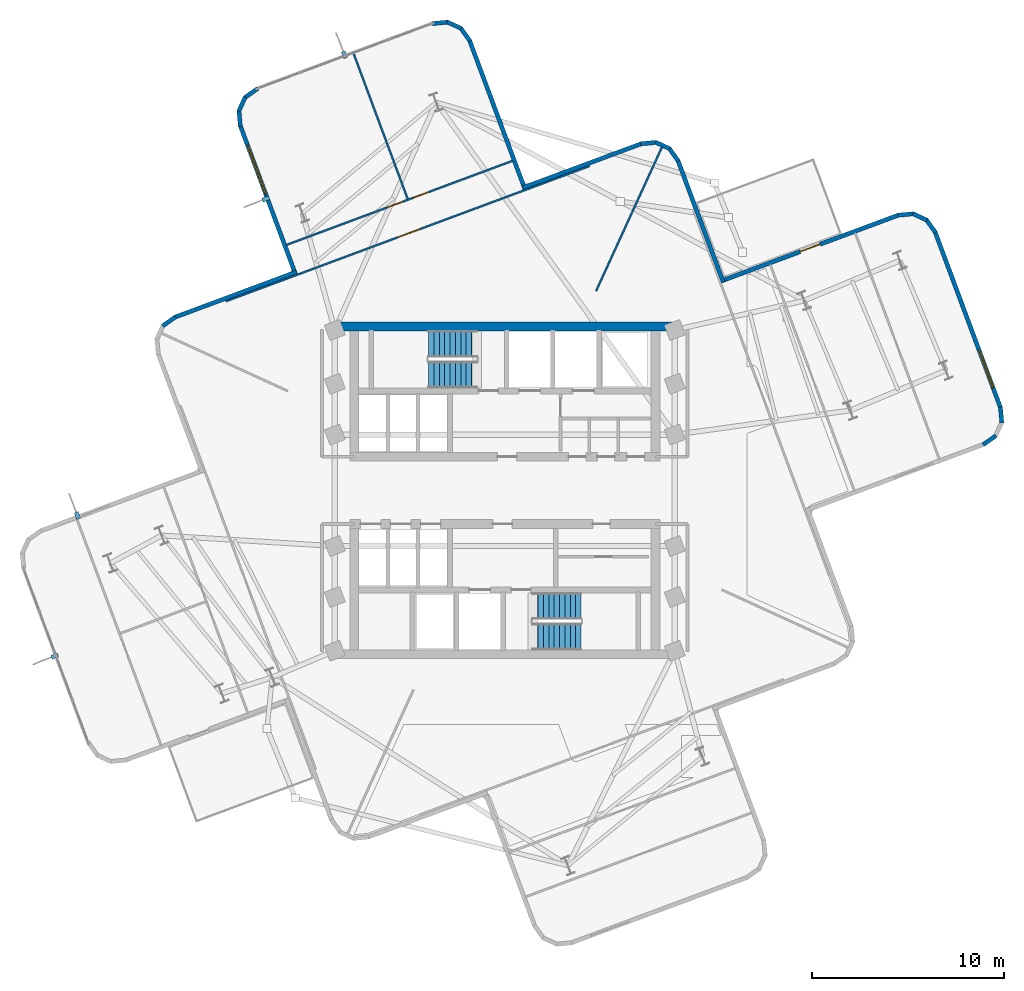
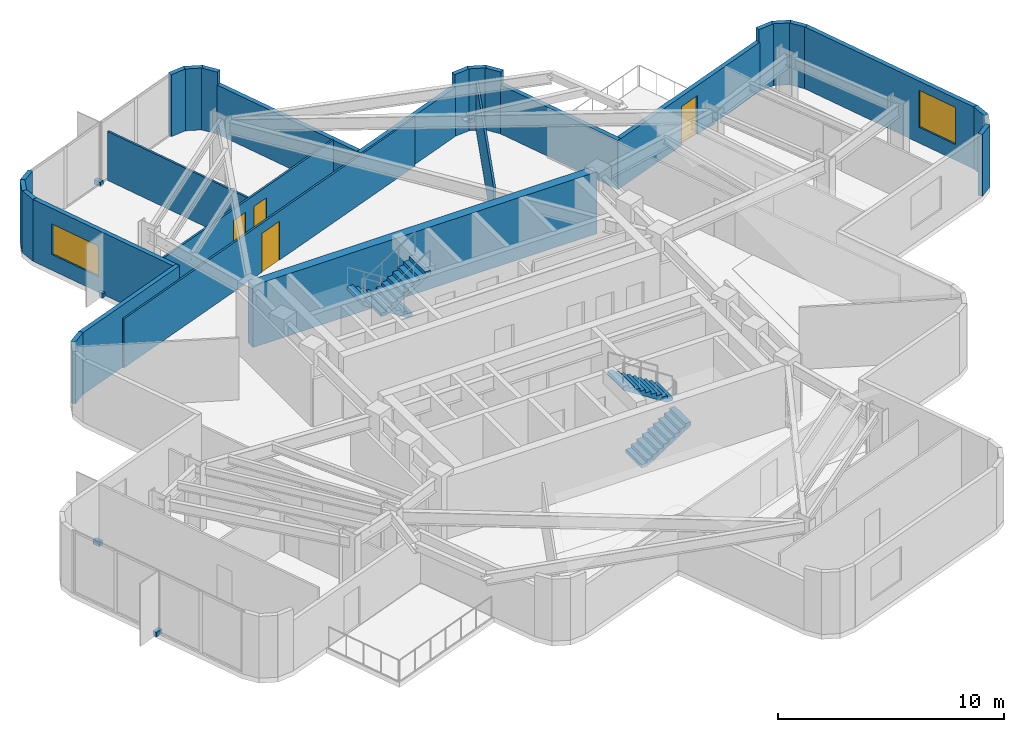
# One storey, part 8 of 11: 27 walls, 4 discrete accessories, 4 doors, 4 stair flights, 2 windows, 6 openings, 2 elements without a shape of their own.
"""IFC4 building model written with IfcOpenShell, lengths in metres."""

from ifc_helpers import new_model, si_unit, direction, frame, frame_2d, origin, origin_2d, place, context, subcontext, project, spatial, polyline, rectangle, outline, extrude, material, layer, layer_set, type_object, element, fill, aggregate, save


model = new_model("IFC4")

# Units and contexts
model_context = context("Model", 3, precision=1e-05, world=origin(), true_north=direction((0.0, 1.0)))
body_context = subcontext(model_context, "Body", "Model", "MODEL_VIEW")
ifc_project = project(units=[si_unit("LENGTHUNIT", "METRE"), si_unit("AREAUNIT", "SQUARE_METRE"), si_unit("VOLUMEUNIT", "CUBIC_METRE"), si_unit("PLANEANGLEUNIT", "RADIAN"), si_unit("MASSUNIT", "GRAM", prefix="KILO")], contexts=[model_context])

# Site, building, storey
site_placement = place(None, origin())
site = spatial("IfcSite", under=ifc_project, at=site_placement, CompositionType="ELEMENT")
building_placement = place(site_placement, origin())
building = spatial("IfcBuilding", under=site, at=building_placement, Name="Solmarez Civic Tower", CompositionType="ELEMENT")
storey_placement = place(building_placement, frame((0.0, 0.0, 170.280029296875)))
storey = spatial("IfcBuildingStorey", under=building, at=storey_placement, Name="L45", CompositionType="ELEMENT", Elevation=170.280029296875)

# Walls
ifc_material_1 = material(Name="Concrete C50/60", Category="concrete")
ifc_layer_1 = layer(ifc_material_1, 0.449951171875)
ifc_layer_set_1 = layer_set([ifc_layer_1], Name="Concrete C50/60")
wall_type_1 = type_object("IfcWallType", Name="WALL-CORE-450", PredefinedType="SHEAR", material=ifc_layer_set_1)
wall_1_placement = place(storey_placement, frame((-8.780029296875, 8.534912109375, 0.0), z_axis=(0.0, 0.0, 1.0), x_axis=(1.0, 0.0, 0.0)))
element("IfcWall", 1, at=wall_1_placement, inside=storey, type_object=wall_type_1, Name="L45 Split-Core Structural Wall NCW-N-L45", PredefinedType="SHEAR", context=body_context, shape_type="SweptSolid", body=[
    extrude(rectangle(XDim=17.56005859375, YDim=0.449951171875, at=frame_2d((8.780029296875, 0.0))), origin(), (0.0, 0.0, 1.0), 3.340087890625),
])
ifc_material_2 = material(Name="Precast concrete C40/50", Category="concrete")
ifc_layer_2 = layer(ifc_material_2, 0.219970703125)
ifc_layer_set_2 = layer_set([ifc_layer_2], Name="Precast concrete C40/50")
wall_type_2 = type_object("IfcWallType", Name="WALL-EXT-220", PredefinedType="SOLIDWALL", material=ifc_layer_set_2)
wall_2_placement = place(storey_placement, frame((-17.81689453125, 8.556884765625, 0.0), z_axis=(0.0, 0.0, 1.0), x_axis=(0.815315167698, 0.579017424022, 0.0)))
element("IfcWall", 2, at=wall_2_placement, inside=storey, type_object=wall_type_2, Name="L45 Exterior Precast Wall 16", PredefinedType="SOLIDWALL", context=body_context, shape_type="SweptSolid", body=[
    extrude(rectangle(XDim=0.832763671875, YDim=0.219970703125, at=frame_2d((0.41650390625, 0.0))), origin(), (0.0, 0.0, 1.0), 3.340087890625),
])
wall_3_placement = place(storey_placement, frame((-17.180908203125, 9.01611328125, 0.0), z_axis=(0.0, 0.0, 1.0), x_axis=(0.937216908499, 0.34874699486, 0.0)))
element("IfcWall", 3, at=wall_3_placement, inside=storey, type_object=wall_type_2, Name="L45 Exterior Precast Wall 17", PredefinedType="SOLIDWALL", context=body_context, shape_type="SweptSolid", body=[
    extrude(rectangle(XDim=6.75830078125, YDim=0.219970703125, at=frame_2d((3.379150390625, 0.0))), origin(), (0.0, 0.0, 1.0), 3.340087890625),
])

# Wall, opening, window
wall_4_placement = place(storey_placement, frame((-10.89794921875, 11.260009765625, 0.0), z_axis=(0.0, 0.0, 1.0), x_axis=(-0.348682373258, 0.937240952252, 0.0)))
wall_4 = element("IfcWall", 4, at=wall_4_placement, inside=storey, type_object=wall_type_2, Name="L45 Exterior Precast Wall 20", PredefinedType="SOLIDWALL", context=body_context, shape_type="SweptSolid", body=[
    extrude(rectangle(XDim=8.25732421875, YDim=0.219970703125, at=frame_2d((4.128662109375, 0.0))), origin(), (0.0, 0.0, 1.0), 3.340087890625),
])
opening_1_placement = place(wall_4_placement, frame((4.45703125, 0.0, 0.85009765625)))
opening_1 = element("IfcOpeningElement", 5, at=opening_1_placement, cuts=wall_4, Name="Opening W-09", PredefinedType="OPENING", context=body_context, shape_type="SweptSolid", body=[
    extrude(rectangle(XDim=2.699951171875, YDim=1.64990234375, at=frame_2d((1.35009765625, 0.824951171875))), frame((0.0, 0.119873046875, 0.0), z_axis=(0.0, -1.0, 0.0), x_axis=(1.0, 0.0, 0.0)), (0.0, 0.0, 1.0), 0.239990234375),
])
ifc_material_3 = material(Name="Solar Control Bronze-Tinted Insulating Glass", Category="glass")
window_type_1 = type_object("IfcWindowType", Name="WIN-2700X1650", PartitioningType="SINGLE_PANEL", PredefinedType="WINDOW", material=ifc_material_3)
window_1_placement = place(opening_1_placement, origin())
window_1 = element("IfcWindow", 6, at=window_1_placement, inside=storey, type_object=window_type_1, Name="L45 Exterior Facade Window 20", OverallHeight=1.64990234375, OverallWidth=2.699951171875, PartitioningType="SINGLE_PANEL", PredefinedType="WINDOW", context=body_context, shape_type="SweptSolid", body=[
    extrude(rectangle(XDim=2.699951171875, YDim=1.64990234375, at=frame_2d((1.35009765625, 0.824951171875))), frame((0.0, 0.030029296875, 0.0), z_axis=(0.0, -1.0, 0.0), x_axis=(1.0, 0.0, 0.0)), (0.0, 0.0, 1.0), 0.06005859375),
])
fill(opening_1, window_1)

# Walls
wall_5_placement = place(storey_placement, frame((-13.76611328125, 18.950927734375, 0.0), z_axis=(0.0, 0.0, 1.0), x_axis=(-0.09330446586, 0.995637623159, 0.0)))
element("IfcWall", 7, at=wall_5_placement, inside=storey, type_object=wall_type_2, Name="L45 Exterior Precast Wall 21", PredefinedType="SOLIDWALL", context=body_context, shape_type="SweptSolid", body=[
    extrude(rectangle(XDim=0.834716796875, YDim=0.219970703125, at=frame_2d((0.41748046875, 0.0))), origin(), (0.0, 0.0, 1.0), 3.340087890625),
])
wall_6_placement = place(storey_placement, frame((-13.85205078125, 19.73388671875, 0.0), z_axis=(0.0, 0.0, 1.0), x_axis=(0.41476734413, 0.909927497245, 0.0)))
element("IfcWall", 8, at=wall_6_placement, inside=storey, type_object=wall_type_2, Name="L45 Exterior Precast Wall 22", PredefinedType="SOLIDWALL", context=body_context, shape_type="SweptSolid", body=[
    extrude(rectangle(XDim=0.820068359375, YDim=0.219970703125, at=frame_2d((0.41015625, 0.0))), origin(), (0.0, 0.0, 1.0), 3.340087890625),
])
wall_7_placement = place(storey_placement, frame((-13.5419921875, 20.443115234375, 0.0), z_axis=(0.0, 0.0, 1.0), x_axis=(0.815845967165, 0.578269277984, 0.0)))
element("IfcWall", 9, at=wall_7_placement, inside=storey, type_object=wall_type_2, Name="L45 Exterior Precast Wall 23", PredefinedType="SOLIDWALL", context=body_context, shape_type="SweptSolid", body=[
    extrude(rectangle(XDim=0.83349609375, YDim=0.219970703125, at=frame_2d((0.416748046875, 0.0))), origin(), (0.0, 0.0, 1.0), 3.340087890625),
])
wall_8_placement = place(storey_placement, frame((-3.787109375, 24.301025390625, 0.0), z_axis=(0.0, 0.0, 1.0), x_axis=(0.995637623159, 0.09330446586, 0.0)))
element("IfcWall", 10, at=wall_8_placement, inside=storey, type_object=wall_type_2, Name="L45 Exterior Precast Wall 25", PredefinedType="SOLIDWALL", context=body_context, shape_type="SweptSolid", body=[
    extrude(rectangle(XDim=0.834716796875, YDim=0.219970703125, at=frame_2d((0.41748046875, 0.0))), origin(), (0.0, 0.0, 1.0), 3.340087890625),
])
wall_9_placement = place(storey_placement, frame((-3.00390625, 24.386962890625, 0.0), z_axis=(0.0, 0.0, 1.0), x_axis=(0.909783489843, -0.415083126143, 0.0)))
element("IfcWall", 11, at=wall_9_placement, inside=storey, type_object=wall_type_2, Name="L45 Exterior Precast Wall 26", PredefinedType="SOLIDWALL", context=body_context, shape_type="SweptSolid", body=[
    extrude(rectangle(XDim=0.81884765625, YDim=0.219970703125, at=frame_2d((0.409423828125, 0.0))), origin(), (0.0, 0.0, 1.0), 3.340087890625),
])
wall_10_placement = place(storey_placement, frame((-2.2958984375, 24.076904296875, 0.0), z_axis=(0.0, 0.0, 1.0), x_axis=(0.579048422224, -0.815293152626, 0.0)))
element("IfcWall", 12, at=wall_10_placement, inside=storey, type_object=wall_type_2, Name="L45 Exterior Precast Wall 27", PredefinedType="SOLIDWALL", context=body_context, shape_type="SweptSolid", body=[
    extrude(rectangle(XDim=0.833984375, YDim=0.219970703125, at=frame_2d((0.4169921875, 0.0))), origin(), (0.0, 0.0, 1.0), 3.340087890625),
])
wall_11_placement = place(storey_placement, frame((-1.8359375, 23.43994140625, 0.0), z_axis=(0.0, 0.0, 1.0), x_axis=(0.348617756986, -0.937264988952, 0.0)))
element("IfcWall", 13, at=wall_11_placement, inside=storey, type_object=wall_type_2, Name="L45 Exterior Precast Wall 28", PredefinedType="SOLIDWALL", context=body_context, shape_type="SweptSolid", body=[
    extrude(rectangle(XDim=8.258056640625, YDim=0.219970703125, at=frame_2d((4.12890625, 0.0))), origin(), (0.0, 0.0, 1.0), 2.64404296875),
])
wall_12_placement = place(storey_placement, frame((0.929931640625, 15.7509765625, 0.0), z_axis=(0.0, 0.0, 1.0), x_axis=(0.937223257246, 0.348729932868, 0.0)))
element("IfcWall", 14, at=wall_12_placement, inside=storey, type_object=wall_type_2, Name="L45 Exterior Precast Wall 31", PredefinedType="SOLIDWALL", context=body_context, shape_type="SweptSolid", body=[
    extrude(rectangle(XDim=6.598388671875, YDim=0.219970703125, at=frame_2d((3.29931640625, 0.0))), origin(), (0.0, 0.0, 1.0), 2.64404296875),
])
wall_13_placement = place(storey_placement, frame((7.06591796875, 18.041015625, 0.0), z_axis=(0.0, 0.0, 1.0), x_axis=(0.995637623159, 0.09330446586, 0.0)))
element("IfcWall", 15, at=wall_13_placement, inside=storey, type_object=wall_type_2, Name="L45 Exterior Precast Wall 32", PredefinedType="SOLIDWALL", context=body_context, shape_type="SweptSolid", body=[
    extrude(rectangle(XDim=0.834716796875, YDim=0.219970703125, at=frame_2d((0.41748046875, 0.0))), origin(), (0.0, 0.0, 1.0), 3.340087890625),
])
wall_14_placement = place(storey_placement, frame((7.84912109375, 18.126953125, 0.0), z_axis=(0.0, 0.0, 1.0), x_axis=(0.909783489843, -0.415083126143, 0.0)))
element("IfcWall", 16, at=wall_14_placement, inside=storey, type_object=wall_type_2, Name="L45 Exterior Precast Wall 33", PredefinedType="SOLIDWALL", context=body_context, shape_type="SweptSolid", body=[
    extrude(rectangle(XDim=0.81884765625, YDim=0.219970703125, at=frame_2d((0.409423828125, 0.0))), origin(), (0.0, 0.0, 1.0), 3.340087890625),
])
wall_15_placement = place(storey_placement, frame((8.556884765625, 17.81689453125, 0.0), z_axis=(0.0, 0.0, 1.0), x_axis=(0.579017424022, -0.815315167698, 0.0)))
element("IfcWall", 17, at=wall_15_placement, inside=storey, type_object=wall_type_2, Name="L45 Exterior Precast Wall 34", PredefinedType="SOLIDWALL", context=body_context, shape_type="SweptSolid", body=[
    extrude(rectangle(XDim=0.832763671875, YDim=0.219970703125, at=frame_2d((0.41650390625, 0.0))), origin(), (0.0, 0.0, 1.0), 3.340087890625),
])
wall_16_placement = place(storey_placement, frame((9.01611328125, 17.180908203125, 0.0), z_axis=(0.0, 0.0, 1.0), x_axis=(0.34874699486, -0.937216908499, 0.0)))
element("IfcWall", 18, at=wall_16_placement, inside=storey, type_object=wall_type_2, Name="L45 Exterior Precast Wall 35", PredefinedType="SOLIDWALL", context=body_context, shape_type="SweptSolid", body=[
    extrude(rectangle(XDim=6.75830078125, YDim=0.219970703125, at=frame_2d((3.379150390625, 0.0))), origin(), (0.0, 0.0, 1.0), 2.64404296875),
])

# Wall, opening, door
wall_17_placement = place(storey_placement, frame((11.260009765625, 10.89794921875, 0.0), z_axis=(0.0, 0.0, 1.0), x_axis=(0.937247074189, 0.348665917354, 0.0)))
wall_17 = element("IfcWall", 19, at=wall_17_placement, inside=storey, type_object=wall_type_2, Name="L45 Exterior Precast Wall 38", PredefinedType="SOLIDWALL", context=body_context, shape_type="SweptSolid", body=[
    extrude(rectangle(XDim=9.857666015625, YDim=0.219970703125, at=frame_2d((4.9287109375, 0.0))), origin(), (0.0, 0.0, 1.0), 2.64404296875),
])
opening_2_placement = place(wall_17_placement, frame((4.39990234375, 0.0, 0.0)))
opening_2 = element("IfcOpeningElement", 20, at=opening_2_placement, cuts=wall_17, Name="Opening D-06", PredefinedType="OPENING", context=body_context, shape_type="SweptSolid", body=[
    extrude(rectangle(XDim=1.10009765625, YDim=2.10009765625, at=frame_2d((0.550048828125, 1.050048828125))), frame((0.0, 0.119873046875, 0.0), z_axis=(0.0, -1.0, 0.0), x_axis=(1.0, 0.0, 0.0)), (0.0, 0.0, 1.0), 0.239990234375),
])
ifc_material_4 = material(Name="Bronze Anodised Aluminium Glazed Terrace Door", Category="aluminium")
door_type_1 = type_object("IfcDoorType", Name="DOOR-TERR-1100", OperationType="NOTDEFINED", PredefinedType="DOOR", material=ifc_material_4)
door_1_placement = place(opening_2_placement, origin())
door_1 = element("IfcDoor", 21, at=door_1_placement, inside=storey, type_object=door_type_1, Name="L45 Outdoor Terrace Glazed Door", OperationType="SINGLE_SWING_RIGHT", OverallHeight=2.10009765625, OverallWidth=1.10009765625, PredefinedType="DOOR", context=body_context, shape_type="SweptSolid", body=[
    extrude(rectangle(XDim=1.10009765625, YDim=2.10009765625, at=frame_2d((0.550048828125, 1.050048828125))), frame((0.0, 0.02490234375, 0.0), z_axis=(0.0, -1.0, 0.0), x_axis=(1.0, 0.0, 0.0)), (0.0, 0.0, 1.0), 0.050048828125),
])
fill(opening_2, door_1)

# Walls
wall_18_placement = place(storey_placement, frame((20.450927734375, 14.323974609375, 0.0), z_axis=(0.0, 0.0, 1.0), x_axis=(0.99561041007, 0.093594398126, 0.0)))
element("IfcWall", 22, at=wall_18_placement, inside=storey, type_object=wall_type_2, Name="L45 Exterior Precast Wall 39", PredefinedType="SOLIDWALL", context=body_context, shape_type="SweptSolid", body=[
    extrude(rectangle(XDim=0.834716796875, YDim=0.219970703125, at=frame_2d((0.41748046875, 0.0))), origin(), (0.0, 0.0, 1.0), 3.340087890625),
])
wall_19_placement = place(storey_placement, frame((21.23388671875, 14.409912109375, 0.0), z_axis=(0.0, 0.0, 1.0), x_axis=(0.909384320786, -0.415956917371, 0.0)))
element("IfcWall", 23, at=wall_19_placement, inside=storey, type_object=wall_type_2, Name="L45 Exterior Precast Wall 40", PredefinedType="SOLIDWALL", context=body_context, shape_type="SweptSolid", body=[
    extrude(rectangle(XDim=0.8193359375, YDim=0.219970703125, at=frame_2d((0.40966796875, 0.0))), origin(), (0.0, 0.0, 1.0), 3.340087890625),
])
wall_20_placement = place(storey_placement, frame((21.94091796875, 14.09912109375, 0.0), z_axis=(0.0, 0.0, 1.0), x_axis=(0.581210523844, -0.813753234693, 0.0)))
element("IfcWall", 24, at=wall_20_placement, inside=storey, type_object=wall_type_2, Name="L45 Exterior Precast Wall 41", PredefinedType="SOLIDWALL", context=body_context, shape_type="SweptSolid", body=[
    extrude(rectangle(XDim=0.834716796875, YDim=0.219970703125, at=frame_2d((0.41748046875, 0.0))), origin(), (0.0, 0.0, 1.0), 3.340087890625),
])

# Wall, opening, window
wall_21_placement = place(storey_placement, frame((22.402099609375, 13.462890625, 0.0), z_axis=(0.0, 0.0, 1.0), x_axis=(0.348638358175, -0.937257326037, 0.0)))
wall_21 = element("IfcWall", 25, at=wall_21_placement, inside=storey, type_object=wall_type_2, Name="L45 Exterior Precast Wall 42", PredefinedType="SOLIDWALL", context=body_context, shape_type="SweptSolid", body=[
    extrude(rectangle(XDim=9.78076171875, YDim=0.219970703125, at=frame_2d((4.890380859375, 0.0))), origin(), (0.0, 0.0, 1.0), 3.340087890625),
])
opening_3_placement = place(wall_21_placement, frame((6.5791015625, 0.0, 0.85009765625)))
opening_3 = element("IfcOpeningElement", 26, at=opening_3_placement, cuts=wall_21, Name="Opening W-03", PredefinedType="OPENING", context=body_context, shape_type="SweptSolid", body=[
    extrude(rectangle(XDim=2.10009765625, YDim=2.0, at=frame_2d((1.050048828125, 1.0))), frame((0.0, 0.119873046875, 0.0), z_axis=(0.0, -1.0, 0.0), x_axis=(1.0, 0.0, 0.0)), (0.0, 0.0, 1.0), 0.239990234375),
])
window_type_2 = type_object("IfcWindowType", Name="WIN-2100X2000", PartitioningType="SINGLE_PANEL", PredefinedType="WINDOW", material=ifc_material_3)
window_2_placement = place(opening_3_placement, origin())
window_2 = element("IfcWindow", 27, at=window_2_placement, inside=storey, type_object=window_type_2, Name="L45 Exterior Facade Window 42", OverallHeight=2.0, OverallWidth=2.10009765625, PartitioningType="SINGLE_PANEL", PredefinedType="WINDOW", context=body_context, shape_type="SweptSolid", body=[
    extrude(rectangle(XDim=2.10009765625, YDim=2.0, at=frame_2d((1.050048828125, 1.0))), frame((0.0, 0.030029296875, 0.0), z_axis=(0.0, -1.0, 0.0), x_axis=(1.0, 0.0, 0.0)), (0.0, 0.0, 1.0), 0.06005859375),
])
fill(opening_3, window_2)

# Walls
wall_22_placement = place(storey_placement, frame((25.801025390625, 4.343994140625, 0.0), z_axis=(0.0, 0.0, 1.0), x_axis=(0.09225198338, -0.995735693627, 0.0)))
element("IfcWall", 28, at=wall_22_placement, inside=storey, type_object=wall_type_2, Name="L45 Exterior Precast Wall 43", PredefinedType="SOLIDWALL", context=body_context, shape_type="SweptSolid", body=[
    extrude(rectangle(XDim=0.833740234375, YDim=0.219970703125, at=frame_2d((0.4169921875, 0.0))), origin(), (0.0, 0.0, 1.0), 3.340087890625),
])
wall_23_placement = place(storey_placement, frame((25.575927734375, 2.85302734375, 0.0), z_axis=(0.0, 0.0, 1.0), x_axis=(-0.815453569677, -0.578822490666, 0.0)))
element("IfcWall", 29, at=wall_23_placement, inside=storey, type_object=wall_type_2, Name="L45 Exterior Precast Wall 45", PredefinedType="SOLIDWALL", context=body_context, shape_type="SweptSolid", body=[
    extrude(rectangle(XDim=0.83251953125, YDim=0.219970703125, at=frame_2d((0.416259765625, 0.0))), origin(), (0.0, 0.0, 1.0), 3.340087890625),
])
ifc_material_5 = material(Name="Gypsum Board Acoustic Steel-Stud Partition", Category="steel")
ifc_layer_3 = layer(ifc_material_5, 0.10009765625)
ifc_layer_set_3 = layer_set([ifc_layer_3], Name="Gypsum Board Acoustic Steel-Stud Partition")
wall_type_3 = type_object("IfcWallType", Name="WALL-INT-PART-100", PredefinedType="PARTITIONING", material=ifc_layer_set_3)
wall_24_placement = place(storey_placement, frame((4.7529296875, 10.3798828125, 0.0), z_axis=(0.0, 0.0, 1.0), x_axis=(0.416191484634, 0.909276991966, 0.0)))
element("IfcWall", 30, at=wall_24_placement, inside=storey, type_object=wall_type_3, Name="L45 Interior Partition PT-L45-QDIV-1", PredefinedType="PARTITIONING", context=body_context, shape_type="SweptSolid", body=[
    extrude(rectangle(XDim=8.25830078125, YDim=0.10009765625, at=frame_2d((4.129150390625, 0.0))), origin(), (0.0, 0.0, 1.0), 2.64404296875),
])

# Wall, opening, door
wall_25_placement = place(storey_placement, frame((-14.52197265625, 9.845947265625, 0.0), z_axis=(0.0, 0.0, 1.0), x_axis=(0.937292757866, 0.348543090668, 0.0)))
wall_25 = element("IfcWall", 31, at=wall_25_placement, inside=storey, type_object=wall_type_3, Name="L45 Interior Partition PT-L45-N-ENT", PredefinedType="PARTITIONING", context=body_context, shape_type="SweptSolid", body=[
    extrude(rectangle(XDim=20.198486328125, YDim=0.10009765625, at=frame_2d((10.09912109375, 0.0))), origin(), (0.0, 0.0, 1.0), 2.64404296875),
])
opening_4_placement = place(wall_25_placement, frame((9.5791015625, 0.0, 0.0)))
opening_4 = element("IfcOpeningElement", 32, at=opening_4_placement, cuts=wall_25, Name="Opening D-11", PredefinedType="OPENING", context=body_context, shape_type="SweptSolid", body=[
    extrude(rectangle(XDim=1.199951171875, YDim=2.10009765625, at=frame_2d((0.60009765625, 1.050048828125))), frame((0.0, 0.06005859375, 0.0), z_axis=(0.0, -1.0, 0.0), x_axis=(1.0, 0.0, 0.0)), (0.0, 0.0, 1.0), 0.1201171875),
])
ifc_material_6 = material(Name="Glazed-Vision Acoustic Chamber Door", Category="wood")
door_type_2 = type_object("IfcDoorType", Name="DOOR-INT-1200", OperationType="NOTDEFINED", PredefinedType="DOOR", material=ifc_material_6)
door_2_placement = place(opening_4_placement, origin())
door_2 = element("IfcDoor", 33, at=door_2_placement, inside=storey, type_object=door_type_2, Name="L45 Breakout Huddle Room First North Door", OperationType="SINGLE_SWING_LEFT", OverallHeight=2.10009765625, OverallWidth=1.199951171875, PredefinedType="DOOR", context=body_context, shape_type="SweptSolid", body=[
    extrude(rectangle(XDim=1.199951171875, YDim=2.10009765625, at=frame_2d((0.60009765625, 1.050048828125))), frame((0.0, 0.02490234375, 0.0), z_axis=(0.0, -1.0, 0.0), x_axis=(1.0, 0.0, 0.0)), (0.0, 0.0, 1.0), 0.050048828125),
])
fill(opening_4, door_2)

# Wall
wall_26_placement = place(storey_placement, frame((-5.06201171875, 15.18798828125, 0.0), z_axis=(0.0, 0.0, 1.0), x_axis=(-0.348454946531, 0.937325530559, 0.0)))
element("IfcWall", 34, at=wall_26_placement, inside=storey, type_object=wall_type_3, Name="L45 Interior Partition PT-L45-N-TSP", PredefinedType="PARTITIONING", context=body_context, shape_type="SweptSolid", body=[
    extrude(rectangle(XDim=8.015380859375, YDim=0.10009765625, at=frame_2d((4.0078125, 0.0))), origin(), (0.0, 0.0, 1.0), 2.64404296875),
])

# Wall, openings, doors
wall_27_placement = place(storey_placement, frame((0.4189453125, 17.1630859375, 0.0), z_axis=(0.0, 0.0, 1.0), x_axis=(-0.937262231235, -0.348625171066, 0.0)))
wall_27 = element("IfcWall", 35, at=wall_27_placement, inside=storey, type_object=wall_type_3, Name="L45 Interior Partition PT-L45-N-SCUT", PredefinedType="PARTITIONING", context=body_context, shape_type="SweptSolid", body=[
    extrude(rectangle(XDim=12.58984375, YDim=0.10009765625, at=frame_2d((6.294921875, 0.0))), origin(), (0.0, 0.0, 1.0), 2.64404296875),
])
opening_5_placement = place(wall_27_placement, frame((4.675048828125, 0.0, 0.0)))
opening_5 = element("IfcOpeningElement", 36, at=opening_5_placement, cuts=wall_27, Name="Opening D-14", PredefinedType="OPENING", context=body_context, shape_type="SweptSolid", body=[
    extrude(rectangle(XDim=0.860107421875, YDim=2.0400390625, at=frame_2d((0.43017578125, 1.02001953125))), frame((0.0, 0.06005859375, 0.0), z_axis=(0.0, -1.0, 0.0), x_axis=(1.0, 0.0, 0.0)), (0.0, 0.0, 1.0), 0.1201171875),
])
opening_6_placement = place(wall_27_placement, frame((6.114990234375, 0.0, 0.0)))
opening_6 = element("IfcOpeningElement", 37, at=opening_6_placement, cuts=wall_27, Name="Opening D-14", PredefinedType="OPENING", context=body_context, shape_type="SweptSolid", body=[
    extrude(rectangle(XDim=0.860107421875, YDim=2.0400390625, at=frame_2d((0.43017578125, 1.02001953125))), frame((0.0, 0.06005859375, 0.0), z_axis=(0.0, -1.0, 0.0), x_axis=(1.0, 0.0, 0.0)), (0.0, 0.0, 1.0), 0.1201171875),
])
ifc_material_7 = material(Name="Timber Storage and Pantry Door", Category="wood")
door_type_3 = type_object("IfcDoorType", Name="DOOR-INT-850", OperationType="NOTDEFINED", PredefinedType="DOOR", material=ifc_material_7)
door_3_placement = place(opening_5_placement, origin())
door_3 = element("IfcDoor", 38, at=door_3_placement, inside=storey, type_object=door_type_3, Name="L45 Staff Tea Pantry Third North Door", OperationType="SINGLE_SWING_RIGHT", OverallHeight=2.0400390625, OverallWidth=0.860107421875, PredefinedType="DOOR", context=body_context, shape_type="SweptSolid", body=[
    extrude(rectangle(XDim=0.860107421875, YDim=2.0400390625, at=frame_2d((0.43017578125, 1.02001953125))), frame((0.0, 0.02490234375, 0.0), z_axis=(0.0, -1.0, 0.0), x_axis=(1.0, 0.0, 0.0)), (0.0, 0.0, 1.0), 0.050048828125),
])
fill(opening_5, door_3)
door_4_placement = place(opening_6_placement, origin())
door_4 = element("IfcDoor", 39, at=door_4_placement, inside=storey, type_object=door_type_3, Name="L45 Municipal Mailroom Second North Door", OperationType="SINGLE_SWING_LEFT", OverallHeight=2.0400390625, OverallWidth=0.860107421875, PredefinedType="DOOR", context=body_context, shape_type="SweptSolid", body=[
    extrude(rectangle(XDim=0.860107421875, YDim=2.0400390625, at=frame_2d((0.43017578125, 1.02001953125))), frame((0.0, 0.02490234375, 0.0), z_axis=(0.0, -1.0, 0.0), x_axis=(1.0, 0.0, 0.0)), (0.0, 0.0, 1.0), 0.050048828125),
])
fill(opening_6, door_4)

# Stair, stair flights
stair_type = type_object("IfcStairType", Name="STAIR-DOGLEG-140W-20R-1800", PredefinedType="HALF_TURN_STAIR", material=ifc_material_1)
stair_1_placement = place(storey_placement, origin())
stair_1 = element("IfcStair", 40, at=stair_1_placement, inside=storey, type_object=stair_type, Name="L45 North Core Protected Exit Stair ST-1", PredefinedType="HALF_TURN_STAIR")
stair_flight_type = type_object("IfcStairFlightType", Name="FLIGHT-DOGLEG-140W-10R-1800", PredefinedType="STRAIGHT", material=ifc_material_1)
stair_flight_1_placement = place(storey_placement, frame((-1.449951171875, 7.6201171875, 0.0), z_axis=(0.0, 0.0, 1.0), x_axis=(-1.0, 0.0, 0.0)))
stair_flight_1 = element("IfcStairFlight", 41, at=stair_flight_1_placement, type_object=stair_flight_type, Name="ST-1 flight 1", NumberOfRisers=10, NumberOfTreads=9, PredefinedType="STRAIGHT", RiserHeight=0.18, TreadLength=0.28, context=body_context, shape_type="SweptSolid", body=[
    extrude(outline(polyline([(0.0, 0.0), (0.0, 0.179931640625), (0.280029296875, 0.179931640625), (0.280029296875, 0.360107421875), (0.56005859375, 0.360107421875), (0.56005859375, 0.5400390625), (0.840087890625, 0.5400390625), (0.840087890625, 0.719970703125), (1.1201171875, 0.719970703125), (1.1201171875, 0.89990234375), (1.39990234375, 0.89990234375), (1.39990234375, 1.080078125), (1.679931640625, 1.080078125), (1.679931640625, 1.260009765625), (1.9599609375, 1.260009765625), (1.9599609375, 1.43994140625), (2.239990234375, 1.43994140625), (2.239990234375, 1.6201171875), (2.52001953125, 1.6201171875), (2.52001953125, 1.800048828125), (2.52001953125, 1.429931640625), (0.295654296875, 0.0), (0.0, 0.0)])), frame((0.0, 0.699951171875, 0.0), z_axis=(0.0, -1.0, 0.0), x_axis=(1.0, 0.0, 0.0)), (0.0, 0.0, 1.0), 1.39990234375),
])
stair_flight_2_placement = place(storey_placement, frame((-3.969970703125, 6.02001953125, 1.800048828125), z_axis=(0.0, 0.0, 1.0), x_axis=(1.0, 0.0, 0.0)))
stair_flight_2 = element("IfcStairFlight", 42, at=stair_flight_2_placement, type_object=stair_flight_type, Name="ST-1 flight 2", NumberOfRisers=10, NumberOfTreads=9, PredefinedType="STRAIGHT", RiserHeight=0.18, TreadLength=0.28, context=body_context, shape_type="SweptSolid", body=[
    extrude(outline(polyline([(0.0, 0.0), (0.0, 0.179931640625), (0.280029296875, 0.179931640625), (0.280029296875, 0.360107421875), (0.56005859375, 0.360107421875), (0.56005859375, 0.5400390625), (0.840087890625, 0.5400390625), (0.840087890625, 0.719970703125), (1.1201171875, 0.719970703125), (1.1201171875, 0.89990234375), (1.39990234375, 0.89990234375), (1.39990234375, 1.080078125), (1.679931640625, 1.080078125), (1.679931640625, 1.260009765625), (1.9599609375, 1.260009765625), (1.9599609375, 1.43994140625), (2.239990234375, 1.43994140625), (2.239990234375, 1.6201171875), (2.52001953125, 1.6201171875), (2.52001953125, 1.800048828125), (2.52001953125, 1.429931640625), (0.295654296875, 0.0), (0.0, 0.0)])), frame((0.0, 0.699951171875, 0.0), z_axis=(0.0, -1.0, 0.0), x_axis=(1.0, 0.0, 0.0)), (0.0, 0.0, 1.0), 1.39990234375),
])
aggregate(stair_1, [stair_flight_1, stair_flight_2])

stair_2_placement = place(storey_placement, origin())
stair_2 = element("IfcStair", 43, at=stair_2_placement, inside=storey, type_object=stair_type, Name="L45 South Core Protected Exit Stair ST-2", PredefinedType="HALF_TURN_STAIR")
stair_flight_3_placement = place(storey_placement, frame((1.449951171875, -7.6201171875, 0.0), z_axis=(0.0, 0.0, 1.0), x_axis=(1.0, 0.0, 0.0)))
stair_flight_3 = element("IfcStairFlight", 44, at=stair_flight_3_placement, type_object=stair_flight_type, Name="ST-2 flight 1", NumberOfRisers=10, NumberOfTreads=9, PredefinedType="STRAIGHT", RiserHeight=0.18, TreadLength=0.28, context=body_context, shape_type="SweptSolid", body=[
    extrude(outline(polyline([(0.0, 0.0), (0.0, 0.179931640625), (0.280029296875, 0.179931640625), (0.280029296875, 0.360107421875), (0.56005859375, 0.360107421875), (0.56005859375, 0.5400390625), (0.840087890625, 0.5400390625), (0.840087890625, 0.719970703125), (1.1201171875, 0.719970703125), (1.1201171875, 0.89990234375), (1.39990234375, 0.89990234375), (1.39990234375, 1.080078125), (1.679931640625, 1.080078125), (1.679931640625, 1.260009765625), (1.9599609375, 1.260009765625), (1.9599609375, 1.43994140625), (2.239990234375, 1.43994140625), (2.239990234375, 1.6201171875), (2.52001953125, 1.6201171875), (2.52001953125, 1.800048828125), (2.52001953125, 1.429931640625), (0.295654296875, 0.0), (0.0, 0.0)])), frame((0.0, 0.699951171875, 0.0), z_axis=(0.0, -1.0, 0.0), x_axis=(1.0, 0.0, 0.0)), (0.0, 0.0, 1.0), 1.39990234375),
])
stair_flight_4_placement = place(storey_placement, frame((3.969970703125, -6.02001953125, 1.800048828125), z_axis=(0.0, 0.0, 1.0), x_axis=(-1.0, 0.0, 0.0)))
stair_flight_4 = element("IfcStairFlight", 45, at=stair_flight_4_placement, type_object=stair_flight_type, Name="ST-2 flight 2", NumberOfRisers=10, NumberOfTreads=9, PredefinedType="STRAIGHT", RiserHeight=0.18, TreadLength=0.28, context=body_context, shape_type="SweptSolid", body=[
    extrude(outline(polyline([(0.0, 0.0), (0.0, 0.179931640625), (0.280029296875, 0.179931640625), (0.280029296875, 0.360107421875), (0.56005859375, 0.360107421875), (0.56005859375, 0.5400390625), (0.840087890625, 0.5400390625), (0.840087890625, 0.719970703125), (1.1201171875, 0.719970703125), (1.1201171875, 0.89990234375), (1.39990234375, 0.89990234375), (1.39990234375, 1.080078125), (1.679931640625, 1.080078125), (1.679931640625, 1.260009765625), (1.9599609375, 1.260009765625), (1.9599609375, 1.43994140625), (2.239990234375, 1.43994140625), (2.239990234375, 1.6201171875), (2.52001953125, 1.6201171875), (2.52001953125, 1.800048828125), (2.52001953125, 1.429931640625), (0.295654296875, 0.0), (0.0, 0.0)])), frame((0.0, 0.699951171875, 0.0), z_axis=(0.0, -1.0, 0.0), x_axis=(1.0, 0.0, 0.0)), (0.0, 0.0, 1.0), 1.39990234375),
])
aggregate(stair_2, [stair_flight_3, stair_flight_4])

# Discrete accessories
ifc_material_8 = material(Name="Stainless Steel Grade 1.4401", Category="steel")
discrete_accessory_type = type_object("IfcDiscreteAccessoryType", Name="BRACKET-SS-FIN", PredefinedType="BRACKET", material=ifc_material_8)
for number, where, z_axis, x_axis, name in (
    (46, (-23.431884765625, -8.62890625, -0.06005859375), (0.0, 0.0, 1.0), (-0.937271835507, -0.348599349347, 0.0), "L45 Stainless Fin Support Bracket FIN-L45-01"),
    (47, (-22.25, -1.30810546875, -0.06005859375), (0.0, 0.0, 1.0), (-0.348537328549, 0.937294900556, 0.0), "L45 Stainless Fin Support Bracket FIN-L45-02"),
    (48, (-12.43896484375, 15.175048828125, -0.06005859375), (0.0, 0.0, 1.0), (-0.937284362174, -0.348565667307, 0.0), "L45 Stainless Fin Support Bracket FIN-L45-03"),
    (49, (-8.35009765625, 22.681884765625, -0.06005859375), (0.0, 0.0, 1.0), (-0.348599349347, 0.937271835507, 0.0), "L45 Stainless Fin Support Bracket FIN-L45-04"),
):
    element("IfcDiscreteAccessory", number, at=place(storey_placement, frame(where, z_axis=z_axis, x_axis=x_axis)), inside=storey, type_object=discrete_accessory_type, Name=name, PredefinedType="BRACKET", context=body_context, shape_type="SweptSolid", body=[
        extrude(rectangle(XDim=0.360107421875, YDim=0.219970703125, at=origin_2d()), origin(), (0.0, 0.0, 1.0), 0.239990234375),
    ])

save(model, "model.ifc")
